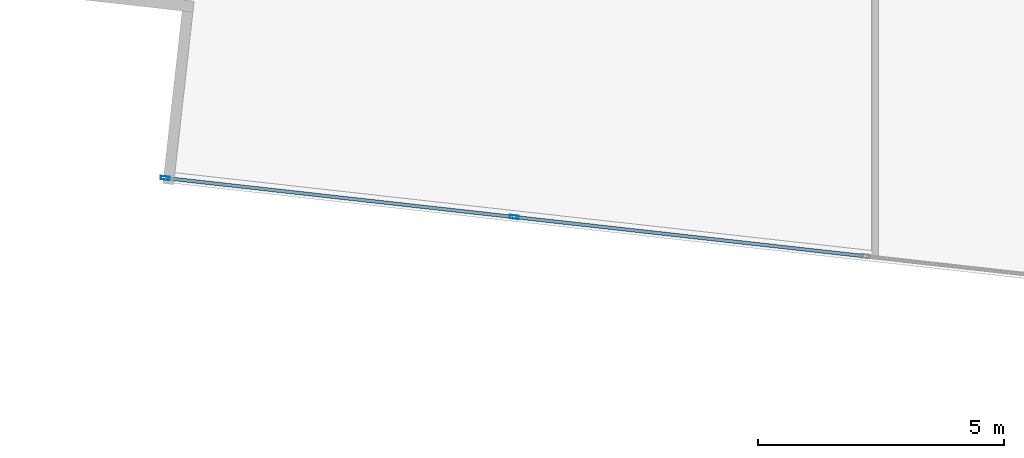
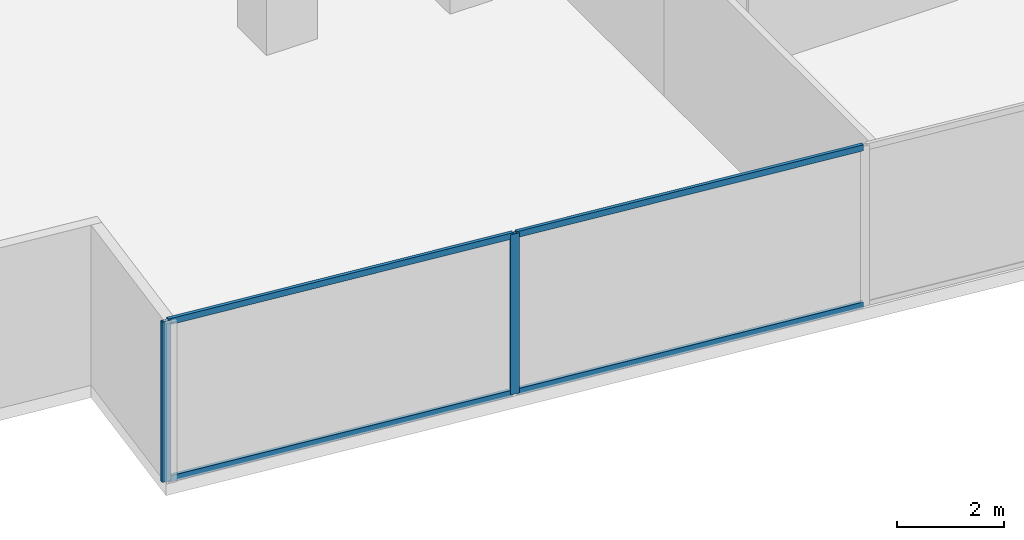
# One storey, part 2 of 31: 6 members, 1 element without a shape of its own.
"""IFC4 building model written with IfcOpenShell, lengths in metres."""

from ifc_helpers import new_model, si_unit, direction, frame, origin, origin_2d, place, context, subcontext, project, spatial, hollow_rectangle, extrude, source, transform, mapped, material, material_profile, profile_set, type_object, type_shapes, element, aggregate, save


model = new_model("IFC4")

# Units and contexts
model_context = context("Model", 3, precision=1e-05, world=origin(), true_north=direction((0.0, 1.0)))
body_context = subcontext(model_context, "Body", "Model", "MODEL_VIEW")
ifc_project = project(units=[si_unit("LENGTHUNIT", "METRE"), si_unit("AREAUNIT", "SQUARE_METRE"), si_unit("VOLUMEUNIT", "CUBIC_METRE"), si_unit("PLANEANGLEUNIT", "RADIAN"), si_unit("MASSUNIT", "GRAM", prefix="KILO")], contexts=[model_context])

# Site, building, storey
site_placement = place(None, origin())
site = spatial("IfcSite", under=ifc_project, at=site_placement, CompositionType="ELEMENT")
building_placement = place(site_placement, origin())
building = spatial("IfcBuilding", under=site, at=building_placement, Name="Krantzveldt Concourse Tower", CompositionType="ELEMENT")
storey_placement = place(building_placement, frame((0.0, 0.0, 56.60009765625)))
storey = spatial("IfcBuildingStorey", under=building, at=storey_placement, Name="L13", CompositionType="ELEMENT", Elevation=56.60009765625)

# Curtain wall, members
ifc_material = material(Name="Anodised aluminium 6063-T6", Category="aluminium")
curtain_wall_type = type_object("IfcCurtainWallType", Name="CW2", PredefinedType="USERDEFINED", material=ifc_material)
curtain_wall_placement = place(storey_placement, origin())
curtain_wall = element("IfcCurtainWall", 1, at=curtain_wall_placement, inside=storey, type_object=curtain_wall_type, Name="CW-L13-F04", ObjectType="UNITISED CURTAIN WALL", PredefinedType="USERDEFINED")
ifc_material_profile_1 = material_profile(ifc_material, hollow_rectangle(XDim=0.070068359375, YDim=0.179931640625, WallThickness=0.0048828125, at=origin_2d()), Name="Anodised aluminium 6063-T6", Category="aluminium")
ifc_profile_set_1 = profile_set([ifc_material_profile_1], Name="Anodised aluminium 6063-T6 - ALU-MULL 180x70x5")
member_type_1 = type_object("IfcMemberType", Name="CW-MUL-180", PredefinedType="MULLION", material=ifc_profile_set_1)
shared_shape_1 = source(origin(), body_context, "Body", "SweptSolid", [
    extrude(hollow_rectangle(XDim=0.070068359375, YDim=0.179931640625, WallThickness=0.0048828125, at=origin_2d()), origin(), (0.0, 0.0, 1.0), 3.669921875),
])
type_shapes(member_type_1, [shared_shape_1])
member_1_placement = place(storey_placement, frame((11.90185546875, 4.327392578125, 0.0), z_axis=(0.0, 0.0, 1.0), x_axis=(0.111035342863, 0.993816458223, 0.0)))
member_1 = element("IfcMember", 2, at=member_1_placement, type_object=member_type_1, Name="CW-Z12 mullion 1", PredefinedType="MULLION", context=body_context, shape_type="MappedRepresentation", body=[
    mapped(shared_shape_1, transform((0.0, 0.0, 0.0), x_axis=(1.0, 0.0, 0.0), y_axis=(0.0, 1.0, 0.0), z_axis=(0.0, 0.0, 1.0), scale=1.0)),
])
member_2_placement = place(storey_placement, frame((18.989501953125, 3.53564453125, 0.0), z_axis=(0.0, 0.0, 1.0), x_axis=(0.111035342863, 0.993816458223, 0.0)))
member_2 = element("IfcMember", 3, at=member_2_placement, type_object=member_type_1, Name="CW-Z12 mullion 2", PredefinedType="MULLION", context=body_context, shape_type="MappedRepresentation", body=[
    mapped(shared_shape_1, transform((0.0, 0.0, 0.0), x_axis=(1.0, 0.0, 0.0), y_axis=(0.0, 1.0, 0.0), z_axis=(0.0, 0.0, 1.0), scale=1.0)),
])
ifc_material_profile_2 = material_profile(ifc_material, hollow_rectangle(XDim=0.070068359375, YDim=0.139892578125, WallThickness=0.0048828125, at=origin_2d()), Name="Anodised aluminium 6063-T6", Category="aluminium")
ifc_profile_set_2 = profile_set([ifc_material_profile_2], Name="Anodised aluminium 6063-T6 - ALU-TRAN 140x70x5")
member_type_2 = type_object("IfcMemberType", Name="CW-TRN-150", PredefinedType="USERDEFINED", material=ifc_profile_set_2)
shared_shape_2 = source(origin(), body_context, "Body", "SweptSolid", [
    extrude(hollow_rectangle(XDim=0.070068359375, YDim=0.139892578125, WallThickness=0.0048828125, at=origin_2d()), origin(), (0.0, 0.0, 1.0), 7.0966796875),
])
member_3_placement = place(storey_placement, frame((19.024169921875, 3.53173828125, 0.034912109375), z_axis=(0.993814737088, -0.111050746722, 0.0), x_axis=(0.111050746722, 0.993814737088, 0.0)))
member_3 = element("IfcMember", 4, at=member_3_placement, type_object=member_type_2, Name="CW-Z12 transom 2.1", ObjectType="TRANSOM", PredefinedType="USERDEFINED", context=body_context, shape_type="MappedRepresentation", body=[
    mapped(shared_shape_2, transform((0.0, 0.0, 0.0), x_axis=(1.0, 0.0, 0.0), y_axis=(0.0, 1.0, 0.0), z_axis=(0.0, 0.0, 1.0), scale=1.0)),
])
member_4_placement = place(storey_placement, frame((19.024169921875, 3.53173828125, 3.635009765625), z_axis=(0.993814737088, -0.111050746722, 0.0), x_axis=(0.111050746722, 0.993814737088, 0.0)))
member_4 = element("IfcMember", 5, at=member_4_placement, type_object=member_type_2, Name="CW-Z12 transom 2.2", ObjectType="TRANSOM", PredefinedType="USERDEFINED", context=body_context, shape_type="MappedRepresentation", body=[
    mapped(shared_shape_2, transform((0.0, 0.0, 0.0), x_axis=(1.0, 0.0, 0.0), y_axis=(0.0, 1.0, 0.0), z_axis=(0.0, 0.0, 1.0), scale=1.0)),
])
shared_shape_3 = source(origin(), body_context, "Body", "SweptSolid", [
    extrude(hollow_rectangle(XDim=0.070068359375, YDim=0.139892578125, WallThickness=0.0048828125, at=origin_2d()), origin(), (0.0, 0.0, 1.0), 7.061767578125),
])
type_shapes(member_type_2, [shared_shape_2, shared_shape_3])
member_5_placement = place(storey_placement, frame((11.9365234375, 4.323486328125, 0.034912109375), z_axis=(0.993815243208, -0.111046217254, 0.0), x_axis=(0.111046217254, 0.993815243208, 0.0)))
member_5 = element("IfcMember", 6, at=member_5_placement, type_object=member_type_2, Name="CW-Z12 transom 1.1", ObjectType="TRANSOM", PredefinedType="USERDEFINED", context=body_context, shape_type="MappedRepresentation", body=[
    mapped(shared_shape_3, transform((0.0, 0.0, 0.0), x_axis=(1.0, 0.0, 0.0), y_axis=(0.0, 1.0, 0.0), z_axis=(0.0, 0.0, 1.0), scale=1.0)),
])
member_6_placement = place(storey_placement, frame((11.9365234375, 4.323486328125, 3.635009765625), z_axis=(0.993815243208, -0.111046217254, 0.0), x_axis=(0.111046217254, 0.993815243208, 0.0)))
member_6 = element("IfcMember", 7, at=member_6_placement, type_object=member_type_2, Name="CW-Z12 transom 1.2", ObjectType="TRANSOM", PredefinedType="USERDEFINED", context=body_context, shape_type="MappedRepresentation", body=[
    mapped(shared_shape_3, transform((0.0, 0.0, 0.0), x_axis=(1.0, 0.0, 0.0), y_axis=(0.0, 1.0, 0.0), z_axis=(0.0, 0.0, 1.0), scale=1.0)),
])
aggregate(curtain_wall, [member_1, member_2, member_5, member_6, member_3, member_4])

save(model, "model.ifc")
